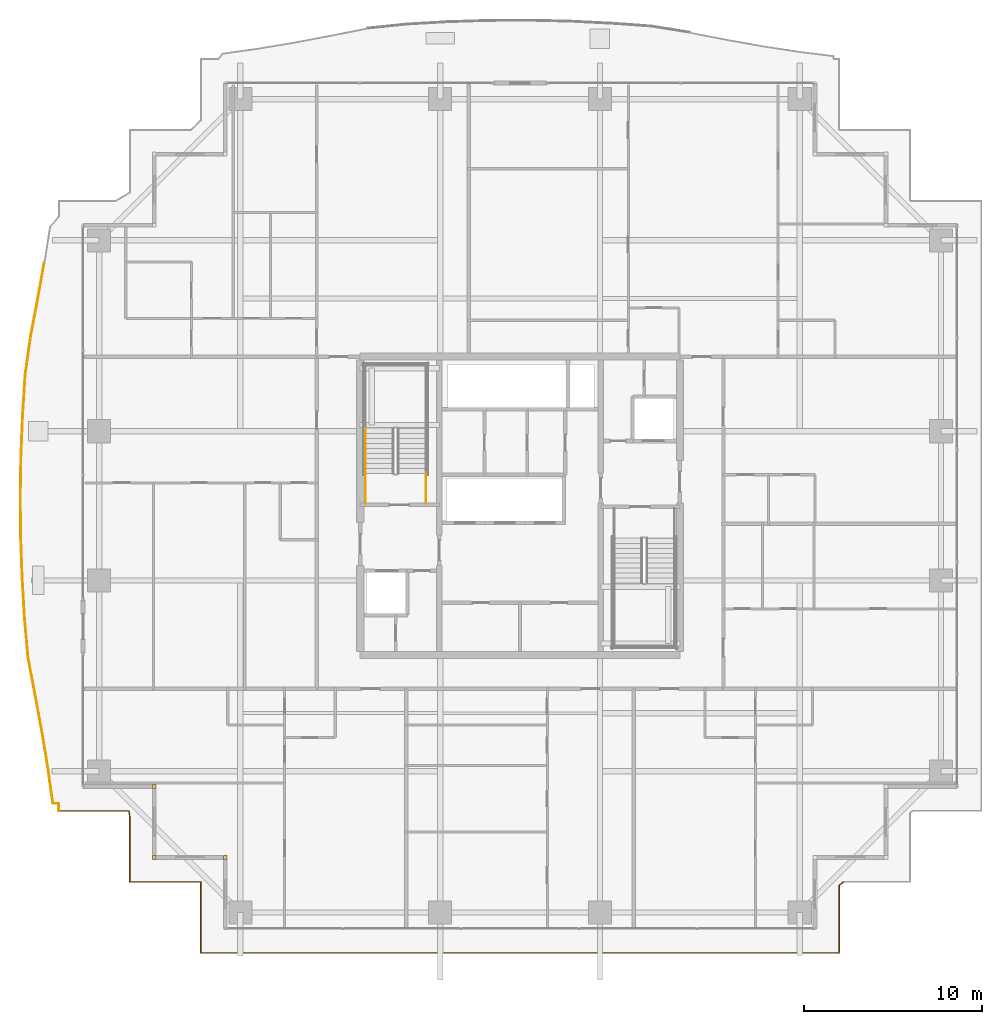
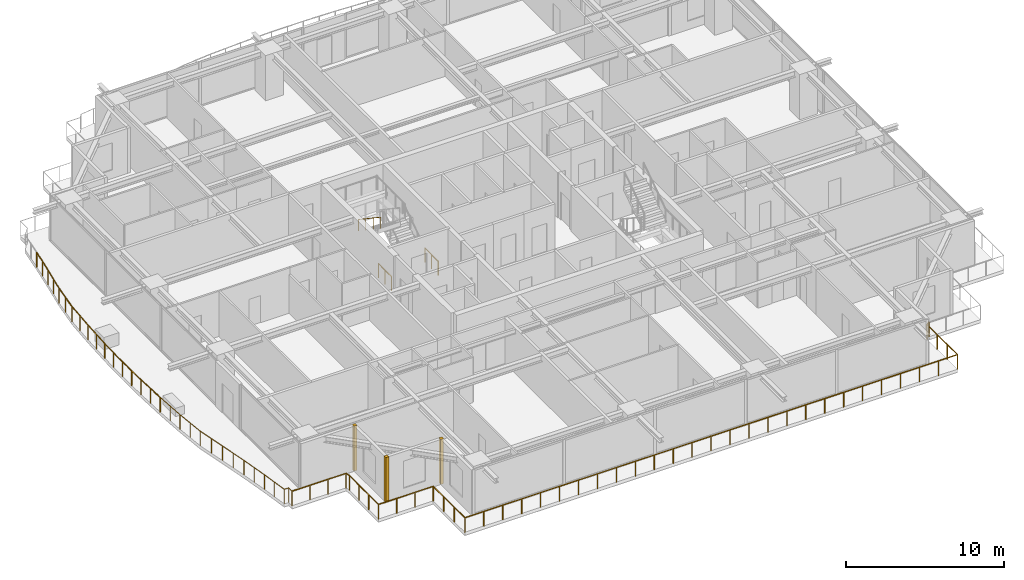
# One storey, part 33 of 37: 6 railings, 3 coverings.
"""IFC4 building model written with IfcOpenShell, lengths in metres."""

from ifc_helpers import new_model, si_unit, direction, frame, origin, origin_2d, place, context, subcontext, project, spatial, rectangle, circle, extrude, source, transform, mapped, material, layer, layer_set, type_object, element, save


model = new_model("IFC4")

# Units and contexts
model_context = context("Model", 3, precision=1e-05, world=origin(), true_north=direction((0.0, 1.0)))
body_context = subcontext(model_context, "Body", "Model", "MODEL_VIEW")
ifc_project = project(units=[si_unit("LENGTHUNIT", "METRE"), si_unit("AREAUNIT", "SQUARE_METRE"), si_unit("VOLUMEUNIT", "CUBIC_METRE"), si_unit("PLANEANGLEUNIT", "RADIAN"), si_unit("MASSUNIT", "GRAM", prefix="KILO")], contexts=[model_context])

# Site, building, storey
site_placement = place(None, origin())
site = spatial("IfcSite", under=ifc_project, at=site_placement, CompositionType="ELEMENT")
building_placement = place(site_placement, origin())
building = spatial("IfcBuilding", under=site, at=building_placement, Name="Serunith Strait Residences", CompositionType="ELEMENT")
storey_placement = place(building_placement, frame((0.0, 0.0, 138.89990234375)))
storey = spatial("IfcBuildingStorey", under=building, at=storey_placement, Name="L34", CompositionType="ELEMENT", Elevation=138.89990234375)

# Railings
ifc_material_1 = material(Name="Stainless Steel & Laminated Glass Balustrade", Category="steel")
railing_type_1 = type_object("IfcRailingType", Name="RLG-BALC-1150", PredefinedType="BALUSTRADE", material=ifc_material_1)
railing_1_placement = place(storey_placement, frame((6.419921875, 8.02001953125, -0.0498046875)))
element("IfcRailing", 1, at=railing_1_placement, inside=storey, type_object=railing_type_1, Name="L34 Swirling Balcony Perimeter Balustrade 1", PredefinedType="BALUSTRADE", context=body_context, shape_type="SweptSolid", body=[
    extrude(circle(Radius=0.02392578125, at=origin_2d()), frame((0.0, 0.001953125, 1.1259765625), z_axis=(0.0, 1.0, 0.0), x_axis=(-1.0, 0.0, 0.0)), (0.0, 0.0, 1.0), 0.40576171875),
    extrude(circle(Radius=0.02392578125, at=origin_2d()), frame((-0.001953125, 0.40966796875, 1.1259765625), z_axis=(-0.998363980208, 0.057178344006, 0.0), x_axis=(-0.057178344006, -0.998363980208, 0.0)), (0.0, 0.0, 1.0), 0.320556640625),
    extrude(circle(Radius=0.02392578125, at=origin_2d()), frame((-0.32421875, 0.43017578125, 1.1259765625), z_axis=(-0.1379700381, 0.990436403101, 0.0), x_axis=(-0.990436403101, -0.1379700381, 0.0)), (0.0, 0.0, 1.0), 2.016845703125),
    extrude(circle(Radius=0.02392578125, at=origin_2d()), frame((-0.60302734375, 2.431640625, 1.1259765625), z_axis=(-0.162891583675, 0.986643974272, 0.0), x_axis=(-0.986643974272, -0.162891583675, 0.0)), (0.0, 0.0, 1.0), 2.044921875),
    extrude(circle(Radius=0.02392578125, at=origin_2d()), frame((-0.936767578125, 4.453125, 1.1259765625), z_axis=(-0.181287134509, 0.983430208435, 0.0), x_axis=(-0.983430208435, -0.181287134509, 0.0)), (0.0, 0.0, 1.0), 2.0888671875),
    extrude(circle(Radius=0.02392578125, at=origin_2d()), frame((-1.31640625, 6.51123046875, 1.1259765625), z_axis=(-0.187007818521, 0.982358425327, 0.0), x_axis=(-0.982358425327, -0.187007818521, 0.0)), (0.0, 0.0, 1.0), 2.1474609375),
    extrude(circle(Radius=0.02392578125, at=origin_2d()), frame((-1.718505859375, 8.624755859375, 1.1259765625), z_axis=(-0.089048077343, 0.996027328903, 0.0), x_axis=(-0.996027328903, -0.089048077343, 0.0)), (0.0, 0.0, 1.0), 2.23046875),
    extrude(circle(Radius=0.02392578125, at=origin_2d()), frame((-1.917236328125, 10.850341796875, 1.1259765625), z_axis=(-0.058148642706, 0.998307936136, 0.0), x_axis=(-0.998307936136, -0.058148642706, 0.0)), (0.0, 0.0, 1.0), 2.267333984375),
    extrude(circle(Radius=0.02099609375, at=origin_2d()), origin(), (0.0, 0.0, 1.0), 1.099853515625),
    extrude(circle(Radius=0.02099609375, at=origin_2d()), frame((0.0, 0.40966796875, 0.0)), (0.0, 0.0, 1.0), 1.099853515625),
    extrude(circle(Radius=0.02099609375, at=origin_2d()), frame((-0.323974609375, 0.42822265625, 0.0)), (0.0, 0.0, 1.0), 1.099853515625),
    extrude(circle(Radius=0.02099609375, at=origin_2d()), frame((-0.46337890625, 1.428955078125, 0.0)), (0.0, 0.0, 1.0), 1.099853515625),
    extrude(circle(Radius=0.02099609375, at=origin_2d()), frame((-0.602783203125, 2.4296875, 0.0)), (0.0, 0.0, 1.0), 1.099853515625),
    extrude(circle(Radius=0.02099609375, at=origin_2d()), frame((-0.76953125, 3.4404296875, 0.0)), (0.0, 0.0, 1.0), 1.099853515625),
    extrude(circle(Radius=0.02099609375, at=origin_2d()), frame((-0.9365234375, 4.451171875, 0.0)), (0.0, 0.0, 1.0), 1.099853515625),
    extrude(circle(Radius=0.02099609375, at=origin_2d()), frame((-1.126220703125, 5.480224609375, 0.0)), (0.0, 0.0, 1.0), 1.099853515625),
    extrude(circle(Radius=0.02099609375, at=origin_2d()), frame((-1.31591796875, 6.50927734375, 0.0)), (0.0, 0.0, 1.0), 1.099853515625),
    extrude(circle(Radius=0.02099609375, at=origin_2d()), frame((-1.51708984375, 7.56591796875, 0.0)), (0.0, 0.0, 1.0), 1.099853515625),
    extrude(circle(Radius=0.02099609375, at=origin_2d()), frame((-1.71826171875, 8.622802734375, 0.0)), (0.0, 0.0, 1.0), 1.099853515625),
    extrude(circle(Radius=0.02099609375, at=origin_2d()), frame((-1.81787109375, 9.735595703125, 0.0)), (0.0, 0.0, 1.0), 1.099853515625),
    extrude(circle(Radius=0.02099609375, at=origin_2d()), frame((-1.917236328125, 10.848388671875, 0.0)), (0.0, 0.0, 1.0), 1.099853515625),
    extrude(circle(Radius=0.02099609375, at=origin_2d()), frame((-1.9833984375, 11.982177734375, 0.0)), (0.0, 0.0, 1.0), 1.099853515625),
    extrude(circle(Radius=0.02099609375, at=origin_2d()), frame((-2.04931640625, 13.115966796875, 0.0)), (0.0, 0.0, 1.0), 1.099853515625),
])
railing_2_placement = place(storey_placement, frame((4.37060546875, 21.135986328125, -0.0498046875)))
element("IfcRailing", 2, at=railing_2_placement, inside=storey, type_object=railing_type_1, Name="L34 Swirling Balcony Perimeter Balustrade 2", PredefinedType="BALUSTRADE", context=body_context, shape_type="SweptSolid", body=[
    extrude(circle(Radius=0.02392578125, at=origin_2d()), frame((0.0, 0.001953125, 1.1259765625), z_axis=(-0.035649776964, 0.999364344672, 0.0), x_axis=(-0.999364344672, -0.035649776964, 0.0)), (0.0, 0.0, 1.0), 2.290283203125),
    extrude(circle(Radius=0.02392578125, at=origin_2d()), frame((-0.081787109375, 2.294677734375, 1.1259765625), z_axis=(-0.010167888714, 0.999948305683, 0.0), x_axis=(-0.999948305683, -0.010167888714, 0.0)), (0.0, 0.0, 1.0), 2.301025390625),
    extrude(circle(Radius=0.02392578125, at=origin_2d()), frame((-0.105224609375, 4.599609375, 1.1259765625), z_axis=(0.016113259785, 0.999870173002, 0.0), x_axis=(-0.999870173002, 0.016113259785, 0.0)), (0.0, 0.0, 1.0), 2.299072265625),
    extrude(circle(Radius=0.02392578125, at=origin_2d()), frame((-0.068115234375, 6.90234375, 1.1259765625), z_axis=(0.041186722153, 0.999151466955, 0.0), x_axis=(-0.999151466955, 0.041186722153, 0.0)), (0.0, 0.0, 1.0), 2.2841796875),
    extrude(circle(Radius=0.02392578125, at=origin_2d()), frame((0.0263671875, 9.1884765625, 1.1259765625), z_axis=(0.062908988346, 0.998019267943, 0.0), x_axis=(-0.998019267943, 0.062908988346, 0.0)), (0.0, 0.0, 1.0), 2.258544921875),
    extrude(circle(Radius=0.02392578125, at=origin_2d()), frame((0.168701171875, 11.446533203125, 1.1259765625), z_axis=(0.139664776924, 0.990198843711, 0.0), x_axis=(-0.990198843711, 0.139664776924, 0.0)), (0.0, 0.0, 1.0), 2.195068359375),
    extrude(circle(Radius=0.02392578125, at=origin_2d()), frame((0.47607421875, 13.6240234375, 1.1259765625), z_axis=(0.186389078347, 0.982476010635, 0.0), x_axis=(-0.982476010635, 0.186389078347, 0.0)), (0.0, 0.0, 1.0), 2.121826171875),
    extrude(circle(Radius=0.02392578125, at=origin_2d()), frame((0.8720703125, 15.712646484375, 1.1259765625), z_axis=(0.175370757937, 0.984502461785, 0.0), x_axis=(-0.984502461785, 0.175370757937, 0.0)), (0.0, 0.0, 1.0), 2.06884765625),
    extrude(circle(Radius=0.02099609375, at=origin_2d()), origin(), (0.0, 0.0, 1.0), 1.099853515625),
    extrude(circle(Radius=0.02099609375, at=origin_2d()), frame((-0.041015625, 1.146484375, 0.0)), (0.0, 0.0, 1.0), 1.099853515625),
    extrude(circle(Radius=0.02099609375, at=origin_2d()), frame((-0.081787109375, 2.292724609375, 0.0)), (0.0, 0.0, 1.0), 1.099853515625),
    extrude(circle(Radius=0.02099609375, at=origin_2d()), frame((-0.093505859375, 3.4453125, 0.0)), (0.0, 0.0, 1.0), 1.099853515625),
    extrude(circle(Radius=0.02099609375, at=origin_2d()), frame((-0.105224609375, 4.59765625, 0.0)), (0.0, 0.0, 1.0), 1.099853515625),
    extrude(circle(Radius=0.02099609375, at=origin_2d()), frame((-0.086669921875, 5.7490234375, 0.0)), (0.0, 0.0, 1.0), 1.099853515625),
    extrude(circle(Radius=0.02099609375, at=origin_2d()), frame((-0.068115234375, 6.900390625, 0.0)), (0.0, 0.0, 1.0), 1.099853515625),
    extrude(circle(Radius=0.02099609375, at=origin_2d()), frame((-0.02099609375, 8.04345703125, 0.0)), (0.0, 0.0, 1.0), 1.099853515625),
    extrude(circle(Radius=0.02099609375, at=origin_2d()), frame((0.026123046875, 9.1865234375, 0.0)), (0.0, 0.0, 1.0), 1.099853515625),
    extrude(circle(Radius=0.02099609375, at=origin_2d()), frame((0.09716796875, 10.3154296875, 0.0)), (0.0, 0.0, 1.0), 1.099853515625),
    extrude(circle(Radius=0.02099609375, at=origin_2d()), frame((0.16845703125, 11.444580078125, 0.0)), (0.0, 0.0, 1.0), 1.099853515625),
    extrude(circle(Radius=0.02099609375, at=origin_2d()), frame((0.322021484375, 12.533203125, 0.0)), (0.0, 0.0, 1.0), 1.099853515625),
    extrude(circle(Radius=0.02099609375, at=origin_2d()), frame((0.4755859375, 13.6220703125, 0.0)), (0.0, 0.0, 1.0), 1.099853515625),
    extrude(circle(Radius=0.02099609375, at=origin_2d()), frame((0.673828125, 14.66650390625, 0.0)), (0.0, 0.0, 1.0), 1.099853515625),
    extrude(circle(Radius=0.02099609375, at=origin_2d()), frame((0.871826171875, 15.710693359375, 0.0)), (0.0, 0.0, 1.0), 1.099853515625),
    extrude(circle(Radius=0.02099609375, at=origin_2d()), frame((1.0537109375, 16.73095703125, 0.0)), (0.0, 0.0, 1.0), 1.099853515625),
    extrude(circle(Radius=0.02099609375, at=origin_2d()), frame((1.2353515625, 17.75146484375, 0.0)), (0.0, 0.0, 1.0), 1.099853515625),
])
railing_3_placement = place(storey_placement, frame((50.601806640625, 4.02001953125, -0.0498046875)))
element("IfcRailing", 3, at=railing_3_placement, inside=storey, type_object=railing_type_1, Name="L34 Swirling Balcony Perimeter Balustrade 8", PredefinedType="BALUSTRADE", context=body_context, shape_type="SweptSolid", body=[
    extrude(circle(Radius=0.02392578125, at=origin_2d()), frame((-0.00146484375, -0.001220703125, 1.1259765625), z_axis=(-0.778021630841, -0.62823748849, 0.0), x_axis=(0.62823748849, -0.778021630841, 0.0)), (0.0, 0.0, 1.0), 0.28125),
    extrude(circle(Radius=0.02392578125, at=origin_2d()), frame((-0.221923828125, -0.18115234375, 1.1259765625), z_axis=(0.0, -1.0, 0.0), x_axis=(1.0, 0.0, 0.0)), (0.0, 0.0, 1.0), 3.81689453125),
    extrude(circle(Radius=0.02392578125, at=origin_2d()), frame((-0.223876953125, -4.0, 1.1259765625), z_axis=(-1.0, 0.0, 0.0), x_axis=(0.0, -1.0, 0.0)), (0.0, 0.0, 1.0), 35.9560546875),
    extrude(circle(Radius=0.02392578125, at=origin_2d()), frame((-36.181884765625, -3.998046875, 1.1259765625), z_axis=(0.0, 1.0, 0.0), x_axis=(-1.0, 0.0, 0.0)), (0.0, 0.0, 1.0), 3.99609375),
    extrude(circle(Radius=0.02392578125, at=origin_2d()), frame((-36.183837890625, 0.0, 1.1259765625), z_axis=(-1.0, 0.0, 0.0), x_axis=(0.0, -1.0, 0.0)), (0.0, 0.0, 1.0), 3.99609375),
    extrude(circle(Radius=0.02392578125, at=origin_2d()), frame((-40.181884765625, 0.001953125, 1.1259765625), z_axis=(0.0, 1.0, 0.0), x_axis=(-1.0, 0.0, 0.0)), (0.0, 0.0, 1.0), 3.662841796875),
    extrude(circle(Radius=0.02392578125, at=origin_2d()), frame((-40.18212890625, 3.668701171875, 1.1259765625), z_axis=(-0.145681781442, 0.989331500841, 0.0), x_axis=(-0.989331500841, -0.145681781442, 0.0)), (0.0, 0.0, 1.0), 0.332763671875),
    extrude(circle(Radius=0.02392578125, at=origin_2d()), frame((-40.23291015625, 4.0, 1.1259765625), z_axis=(-1.0, 0.0, 0.0), x_axis=(0.0, -1.0, 0.0)), (0.0, 0.0, 1.0), 3.947021484375),
    extrude(circle(Radius=0.02099609375, at=origin_2d()), origin(), (0.0, 0.0, 1.0), 1.099853515625),
    extrude(circle(Radius=0.02099609375, at=origin_2d()), frame((-0.221923828125, -0.17919921875, 0.0)), (0.0, 0.0, 1.0), 1.099853515625),
    extrude(circle(Radius=0.02099609375, at=origin_2d()), frame((-0.221923828125, -1.452880859375, 0.0)), (0.0, 0.0, 1.0), 1.099853515625),
    extrude(circle(Radius=0.02099609375, at=origin_2d()), frame((-0.221923828125, -2.726318359375, 0.0)), (0.0, 0.0, 1.0), 1.099853515625),
    extrude(circle(Radius=0.02099609375, at=origin_2d()), frame((-0.221923828125, -4.0, 0.0)), (0.0, 0.0, 1.0), 1.099853515625),
    extrude(circle(Radius=0.02099609375, at=origin_2d()), frame((-1.60498046875, -4.0, 0.0)), (0.0, 0.0, 1.0), 1.099853515625),
    extrude(circle(Radius=0.02099609375, at=origin_2d()), frame((-2.988037109375, -4.0, 0.0)), (0.0, 0.0, 1.0), 1.099853515625),
    extrude(circle(Radius=0.02099609375, at=origin_2d()), frame((-4.37109375, -4.0, 0.0)), (0.0, 0.0, 1.0), 1.099853515625),
    extrude(circle(Radius=0.02099609375, at=origin_2d()), frame((-5.754150390625, -4.0, 0.0)), (0.0, 0.0, 1.0), 1.099853515625),
    extrude(circle(Radius=0.02099609375, at=origin_2d()), frame((-7.13720703125, -4.0, 0.0)), (0.0, 0.0, 1.0), 1.099853515625),
    extrude(circle(Radius=0.02099609375, at=origin_2d()), frame((-8.520263671875, -4.0, 0.0)), (0.0, 0.0, 1.0), 1.099853515625),
    extrude(circle(Radius=0.02099609375, at=origin_2d()), frame((-9.903564453125, -4.0, 0.0)), (0.0, 0.0, 1.0), 1.099853515625),
    extrude(circle(Radius=0.02099609375, at=origin_2d()), frame((-11.28662109375, -4.0, 0.0)), (0.0, 0.0, 1.0), 1.099853515625),
    extrude(circle(Radius=0.02099609375, at=origin_2d()), frame((-12.669677734375, -4.0, 0.0)), (0.0, 0.0, 1.0), 1.099853515625),
    extrude(circle(Radius=0.02099609375, at=origin_2d()), frame((-14.052734375, -4.0, 0.0)), (0.0, 0.0, 1.0), 1.099853515625),
    extrude(circle(Radius=0.02099609375, at=origin_2d()), frame((-15.435791015625, -4.0, 0.0)), (0.0, 0.0, 1.0), 1.099853515625),
    extrude(circle(Radius=0.02099609375, at=origin_2d()), frame((-16.81884765625, -4.0, 0.0)), (0.0, 0.0, 1.0), 1.099853515625),
    extrude(circle(Radius=0.02099609375, at=origin_2d()), frame((-18.201904296875, -4.0, 0.0)), (0.0, 0.0, 1.0), 1.099853515625),
    extrude(circle(Radius=0.02099609375, at=origin_2d()), frame((-19.5849609375, -4.0, 0.0)), (0.0, 0.0, 1.0), 1.099853515625),
    extrude(circle(Radius=0.02099609375, at=origin_2d()), frame((-20.968017578125, -4.0, 0.0)), (0.0, 0.0, 1.0), 1.099853515625),
    extrude(circle(Radius=0.02099609375, at=origin_2d()), frame((-22.35107421875, -4.0, 0.0)), (0.0, 0.0, 1.0), 1.099853515625),
    extrude(circle(Radius=0.02099609375, at=origin_2d()), frame((-23.734130859375, -4.0, 0.0)), (0.0, 0.0, 1.0), 1.099853515625),
    extrude(circle(Radius=0.02099609375, at=origin_2d()), frame((-25.1171875, -4.0, 0.0)), (0.0, 0.0, 1.0), 1.099853515625),
    extrude(circle(Radius=0.02099609375, at=origin_2d()), frame((-26.500244140625, -4.0, 0.0)), (0.0, 0.0, 1.0), 1.099853515625),
    extrude(circle(Radius=0.02099609375, at=origin_2d()), frame((-27.883544921875, -4.0, 0.0)), (0.0, 0.0, 1.0), 1.099853515625),
    extrude(circle(Radius=0.02099609375, at=origin_2d()), frame((-29.2666015625, -4.0, 0.0)), (0.0, 0.0, 1.0), 1.099853515625),
    extrude(circle(Radius=0.02099609375, at=origin_2d()), frame((-30.649658203125, -4.0, 0.0)), (0.0, 0.0, 1.0), 1.099853515625),
    extrude(circle(Radius=0.02099609375, at=origin_2d()), frame((-32.03271484375, -4.0, 0.0)), (0.0, 0.0, 1.0), 1.099853515625),
    extrude(circle(Radius=0.02099609375, at=origin_2d()), frame((-33.415771484375, -4.0, 0.0)), (0.0, 0.0, 1.0), 1.099853515625),
    extrude(circle(Radius=0.02099609375, at=origin_2d()), frame((-34.798828125, -4.0, 0.0)), (0.0, 0.0, 1.0), 1.099853515625),
    extrude(circle(Radius=0.02099609375, at=origin_2d()), frame((-36.181884765625, -4.0, 0.0)), (0.0, 0.0, 1.0), 1.099853515625),
    extrude(circle(Radius=0.02099609375, at=origin_2d()), frame((-36.181884765625, -2.666748046875, 0.0)), (0.0, 0.0, 1.0), 1.099853515625),
    extrude(circle(Radius=0.02099609375, at=origin_2d()), frame((-36.181884765625, -1.333251953125, 0.0)), (0.0, 0.0, 1.0), 1.099853515625),
    extrude(circle(Radius=0.02099609375, at=origin_2d()), frame((-36.181884765625, 0.0, 0.0)), (0.0, 0.0, 1.0), 1.099853515625),
    extrude(circle(Radius=0.02099609375, at=origin_2d()), frame((-37.51513671875, 0.0, 0.0)), (0.0, 0.0, 1.0), 1.099853515625),
    extrude(circle(Radius=0.02099609375, at=origin_2d()), frame((-38.8486328125, 0.0, 0.0)), (0.0, 0.0, 1.0), 1.099853515625),
    extrude(circle(Radius=0.02099609375, at=origin_2d()), frame((-40.181884765625, 0.0, 0.0)), (0.0, 0.0, 1.0), 1.099853515625),
    extrude(circle(Radius=0.02099609375, at=origin_2d()), frame((-40.181884765625, 1.22216796875, 0.0)), (0.0, 0.0, 1.0), 1.099853515625),
    extrude(circle(Radius=0.02099609375, at=origin_2d()), frame((-40.181884765625, 2.444580078125, 0.0)), (0.0, 0.0, 1.0), 1.099853515625),
    extrude(circle(Radius=0.02099609375, at=origin_2d()), frame((-40.181884765625, 3.666748046875, 0.0)), (0.0, 0.0, 1.0), 1.099853515625),
    extrude(circle(Radius=0.02099609375, at=origin_2d()), frame((-40.23095703125, 4.0, 0.0)), (0.0, 0.0, 1.0), 1.099853515625),
    extrude(circle(Radius=0.02099609375, at=origin_2d()), frame((-41.5478515625, 4.0, 0.0)), (0.0, 0.0, 1.0), 1.099853515625),
    extrude(circle(Radius=0.02099609375, at=origin_2d()), frame((-42.864990234375, 4.0, 0.0)), (0.0, 0.0, 1.0), 1.099853515625),
    extrude(circle(Radius=0.02099609375, at=origin_2d()), frame((-44.181884765625, 4.0, 0.0)), (0.0, 0.0, 1.0), 1.099853515625),
])
ifc_material_2 = material(Name="Brushed stainless steel 316L", Category="steel")
railing_type_2 = type_object("IfcRailingType", Name="RLG-STAIR-GUARD", PredefinedType="BALUSTRADE", material=ifc_material_2)
for number, where, name in (
    (4, (27.10009765625, 25.35009765625, 0.0), "L34 ST-1 stair guard 8"),
    (5, (23.699951171875, 25.35009765625, 0.0), "L34 ST-1 stair guard 9"),
):
    element("IfcRailing", number, at=place(storey_placement, frame(where)), inside=storey, type_object=railing_type_2, Name=name, PredefinedType="BALUSTRADE", context=body_context, shape_type="SweptSolid", body=[
        extrude(circle(Radius=0.02392578125, at=origin_2d()), frame((0.0, 0.001953125, 1.076171875), z_axis=(0.0, 1.0, 0.0), x_axis=(-1.0, 0.0, 0.0)), (0.0, 0.0, 1.0), 1.676025390625),
        extrude(circle(Radius=0.02099609375, at=origin_2d()), origin(), (0.0, 0.0, 1.0), 1.050048828125),
        extrude(circle(Radius=0.02099609375, at=origin_2d()), frame((0.0, 0.83984375, 0.0)), (0.0, 0.0, 1.0), 1.050048828125),
        extrude(circle(Radius=0.02099609375, at=origin_2d()), frame((0.0, 1.679931640625, 0.0)), (0.0, 0.0, 1.0), 1.050048828125),
    ])
railing_type_3 = type_object("IfcRailingType", Name="RLG-STAIR-HR", PredefinedType="HANDRAIL", material=ifc_material_2)
railing_4_placement = place(storey_placement, frame((23.699951171875, 29.550048828125, 2.0625)))
element("IfcRailing", 6, at=railing_4_placement, inside=storey, type_object=railing_type_3, Name="L34 ST-1 stair handrail 2", PredefinedType="HANDRAIL", context=body_context, shape_type="SweptSolid", body=[
    extrude(circle(Radius=0.02392578125, at=origin_2d()), frame((0.0, -0.001708984375, 0.876953125), z_axis=(0.0, -0.830208209119, 0.557453432594), x_axis=(1.0, 0.0, 0.0)), (0.0, 0.0, 1.0), 3.36865234375),
    extrude(circle(Radius=0.02099609375, at=origin_2d()), origin(), (0.0, 0.0, 1.0), 0.849853515625),
    extrude(circle(Radius=0.02099609375, at=origin_2d()), frame((0.0, -0.933349609375, 0.626708984375)), (0.0, 0.0, 1.0), 0.849853515625),
    extrude(circle(Radius=0.02099609375, at=origin_2d()), frame((0.0, -1.86669921875, 1.25341796875)), (0.0, 0.0, 1.0), 0.849853515625),
    extrude(circle(Radius=0.02099609375, at=origin_2d()), frame((0.0, -2.800048828125, 1.880126953125)), (0.0, 0.0, 1.0), 0.849853515625),
])

# Coverings
ifc_material_3 = material(Name="Pale-Champagne Anodised Aluminium", Category="aluminium")
ifc_layer = layer(ifc_material_3, 0.219970703125, Name="Pale-Champagne Anodised Aluminium")
ifc_layer_set = layer_set([ifc_layer], Name="Pale-Champagne Anodised Aluminium")
covering_type = type_object("IfcCoveringType", Name="COV-CORN-TRIM", PredefinedType="CLADDING", material=ifc_layer_set)
shared_shape = source(origin(), body_context, "Body", "SweptSolid", [
    extrude(rectangle(XDim=0.221923828125, YDim=0.221923828125, at=origin_2d()), origin(), (0.0, 0.0, 1.0), 3.47509765625),
])
for number, where, z_axis, x_axis, name in (
    (7, (11.800048828125, 9.39990234375, 0.0), (0.0, 0.0, 1.0), (1.0, 0.0, 0.0), "L34 Girih Serrated Corner Trim Post 17"),
    (8, (11.800048828125, 5.39990234375, 0.0), (0.0, 0.0, 1.0), (1.0, 0.0, 0.0), "L34 Girih Serrated Corner Trim Post 18"),
    (9, (15.800048828125, 5.39990234375, 0.0), (0.0, 0.0, 1.0), (1.0, 0.0, 0.0), "L34 Girih Serrated Corner Trim Post 19"),
):
    element("IfcCovering", number, at=place(storey_placement, frame(where, z_axis=z_axis, x_axis=x_axis)), inside=storey, type_object=covering_type, Name=name, PredefinedType="CLADDING", context=body_context, shape_type="MappedRepresentation", body=[
        mapped(shared_shape, transform((0.0, 0.0, 0.0), scale=1.0)),
    ])

save(model, "model.ifc")
